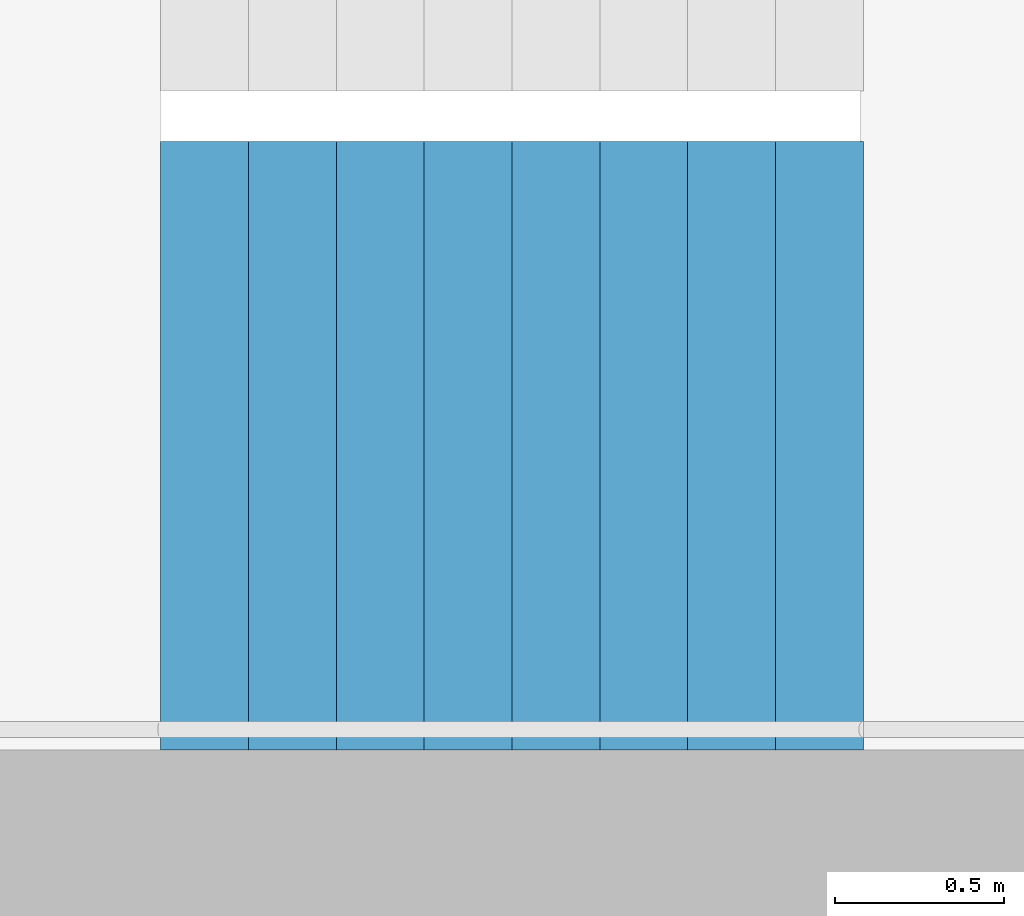
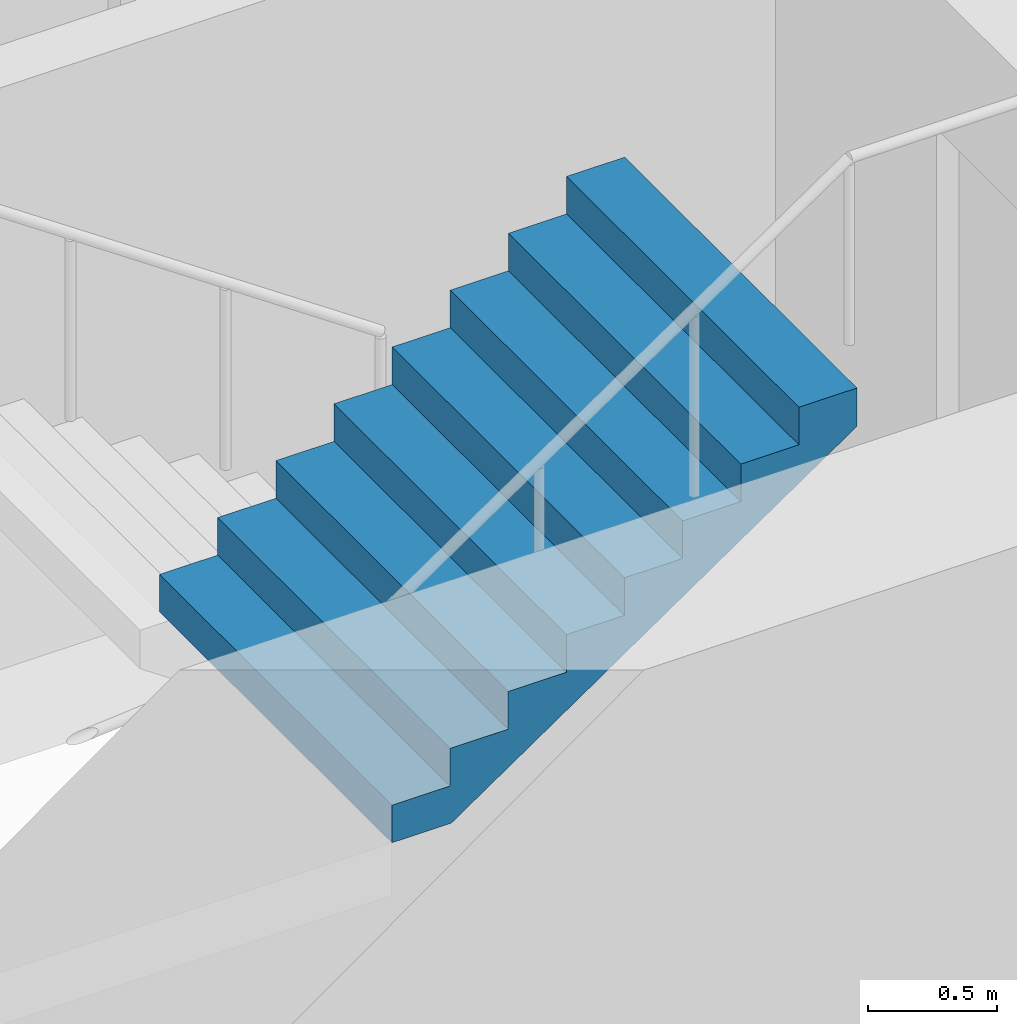
# One storey, part 16 of 28: 1 stair flight, 1 element without a shape of its own.
"""IFC4 building model written with IfcOpenShell, lengths in metres."""

from ifc_helpers import new_model, si_unit, direction, frame, origin, place, context, subcontext, project, spatial, triangles, material, type_object, element, aggregate, save


model = new_model("IFC4")

# Units and contexts
model_context = context("Model", 3, precision=1e-05, world=origin(), true_north=direction((0.0, 1.0)))
body_context = subcontext(model_context, "Body", "Model", "MODEL_VIEW")
ifc_project = project(units=[si_unit("LENGTHUNIT", "METRE"), si_unit("AREAUNIT", "SQUARE_METRE"), si_unit("VOLUMEUNIT", "CUBIC_METRE"), si_unit("PLANEANGLEUNIT", "RADIAN"), si_unit("MASSUNIT", "GRAM", prefix="KILO")], contexts=[model_context])

# Site, building, storey
site_placement = place(None, origin())
site = spatial("IfcSite", under=ifc_project, at=site_placement, CompositionType="ELEMENT")
building_placement = place(site_placement, origin())
building = spatial("IfcBuilding", under=site, at=building_placement, Name="Hakoniwa Tower and Hamabe Station Hall", CompositionType="ELEMENT")
storey_placement = place(building_placement, frame((0.0, 0.0, 218.60009765625)))
storey = spatial("IfcBuildingStorey", under=building, at=storey_placement, Name="L62", CompositionType="ELEMENT", Elevation=218.60009765625)

# Stair, stair flight
ifc_material_1 = material(Name="Concrete C40", Category="concrete")
stair_type = type_object("IfcStairType", Name="ESCAPE STAIR 1800", PredefinedType="HALF_TURN_STAIR", material=ifc_material_1)
stair_placement = place(storey_placement, origin())
stair = element("IfcStair", 1, at=stair_placement, inside=storey, type_object=stair_type, Name="Escape stair ST-2 L62", PredefinedType="HALF_TURN_STAIR")
ifc_material_2 = material(Name="Concrete C40", Category="concrete")
stair_flight_type = type_object("IfcStairFlightType", Name="STAIR FLIGHT 1800", PredefinedType="STRAIGHT", material=ifc_material_2)
stair_flight_placement = place(storey_placement, frame((-25.47998046875, -6.60009765625, 1.599853515625), z_axis=(0.0, 0.0, 1.0), x_axis=(1.0, 0.0, 0.0)))
stair_flight = element("IfcStairFlight", 2, at=stair_flight_placement, type_object=stair_flight_type, Name="ST-2 flight 2", NumberOfRisers=9, NumberOfTreads=8, PredefinedType="STRAIGHT", RiserHeight=0.177777778, TreadLength=0.26, context=body_context, shape_type="Tessellation", body=[
    triangles([(0.0, 0.89990234375, 0.0), (0.260009765625, 0.89990234375, 0.0), (0.265625, 0.89990234375, 0.0), (0.52001953125, 0.89990234375, 0.174072265625), (0.780029296875, 0.89990234375, 0.351806640625), (1.0400390625, 0.89990234375, 0.529541015625), (1.300048828125, 0.89990234375, 0.707275390625), (1.56005859375, 0.89990234375, 0.885009765625), (1.820068359375, 0.89990234375, 1.062744140625), (2.080078125, 0.89990234375, 1.24072265625), (2.080078125, 0.89990234375, 1.422119140625), (1.820068359375, 0.89990234375, 1.422119140625), (1.820068359375, 0.89990234375, 1.244384765625), (1.56005859375, 0.89990234375, 1.244384765625), (1.56005859375, 0.89990234375, 1.066650390625), (1.300048828125, 0.89990234375, 1.066650390625), (1.300048828125, 0.89990234375, 0.888916015625), (1.0400390625, 0.89990234375, 0.888916015625), (1.0400390625, 0.89990234375, 0.711181640625), (0.780029296875, 0.89990234375, 0.711181640625), (0.780029296875, 0.89990234375, 0.533447265625), (0.52001953125, 0.89990234375, 0.533447265625), (0.52001953125, 0.89990234375, 0.35546875), (0.265625, 0.89990234375, 0.35546875), (0.260009765625, 0.89990234375, 0.35546875), (0.260009765625, 0.89990234375, 0.177734375), (0.0, 0.89990234375, 0.177734375), (0.0, 0.06005859375, 0.0), (0.260009765625, 0.06005859375, 0.0), (0.265625, 0.06005859375, 0.0), (0.52001953125, 0.06005859375, 0.174072265625), (0.780029296875, 0.06005859375, 0.351806640625), (1.0400390625, 0.06005859375, 0.529541015625), (1.300048828125, 0.06005859375, 0.707275390625), (1.56005859375, 0.06005859375, 0.885009765625), (1.820068359375, 0.06005859375, 1.062744140625), (2.080078125, 0.06005859375, 1.24072265625), (2.080078125, 0.06005859375, 1.422119140625), (1.820068359375, 0.06005859375, 1.422119140625), (1.820068359375, 0.06005859375, 1.244384765625), (1.56005859375, 0.06005859375, 1.244384765625), (1.56005859375, 0.06005859375, 1.066650390625), (1.300048828125, 0.06005859375, 1.066650390625), (1.300048828125, 0.06005859375, 0.888916015625), (1.0400390625, 0.06005859375, 0.888916015625), (1.0400390625, 0.06005859375, 0.711181640625), (0.780029296875, 0.06005859375, 0.711181640625), (0.780029296875, 0.06005859375, 0.533447265625), (0.52001953125, 0.06005859375, 0.533447265625), (0.52001953125, 0.06005859375, 0.35546875), (0.265625, 0.06005859375, 0.35546875), (0.260009765625, 0.06005859375, 0.35546875), (0.260009765625, 0.06005859375, 0.177734375), (0.0, 0.06005859375, 0.177734375), (0.0, 0.04296875, 0.0), (0.260009765625, 0.04296875, 0.0), (0.265625, 0.04296875, 0.0), (0.52001953125, 0.04296875, 0.174072265625), (0.780029296875, 0.04296875, 0.351806640625), (1.0400390625, 0.04296875, 0.529541015625), (1.300048828125, 0.04296875, 0.707275390625), (1.56005859375, 0.04296875, 0.885009765625), (1.820068359375, 0.04296875, 1.062744140625), (2.080078125, 0.04296875, 1.24072265625), (2.080078125, 0.04296875, 1.422119140625), (1.820068359375, 0.04296875, 1.422119140625), (1.820068359375, 0.04296875, 1.244384765625), (1.56005859375, 0.04296875, 1.244384765625), (1.56005859375, 0.04296875, 1.066650390625), (1.300048828125, 0.04296875, 1.066650390625), (1.300048828125, 0.04296875, 0.888916015625), (1.0400390625, 0.04296875, 0.888916015625), (1.0400390625, 0.04296875, 0.711181640625), (0.780029296875, 0.04296875, 0.711181640625), (0.780029296875, 0.04296875, 0.533447265625), (0.52001953125, 0.04296875, 0.533447265625), (0.52001953125, 0.04296875, 0.35546875), (0.265625, 0.04296875, 0.35546875), (0.260009765625, 0.04296875, 0.35546875), (0.260009765625, 0.04296875, 0.177734375), (0.0, 0.04296875, 0.177734375), (0.0, 0.025634765625, 0.0), (0.260009765625, 0.025634765625, 0.0), (0.265625, 0.025634765625, 0.0), (0.52001953125, 0.025634765625, 0.174072265625), (0.780029296875, 0.025634765625, 0.351806640625), (1.0400390625, 0.025634765625, 0.529541015625), (1.300048828125, 0.025634765625, 0.707275390625), (1.56005859375, 0.025634765625, 0.885009765625), (1.820068359375, 0.025634765625, 1.062744140625), (2.080078125, 0.025634765625, 1.24072265625), (2.080078125, 0.025634765625, 1.422119140625), (1.820068359375, 0.025634765625, 1.422119140625), (1.820068359375, 0.025634765625, 1.244384765625), (1.56005859375, 0.025634765625, 1.244384765625), (1.56005859375, 0.025634765625, 1.066650390625), (1.300048828125, 0.025634765625, 1.066650390625), (1.300048828125, 0.025634765625, 0.888916015625), (1.0400390625, 0.025634765625, 0.888916015625), (1.0400390625, 0.025634765625, 0.711181640625), (0.780029296875, 0.025634765625, 0.711181640625), (0.780029296875, 0.025634765625, 0.533447265625), (0.52001953125, 0.025634765625, 0.533447265625), (0.52001953125, 0.025634765625, 0.35546875), (0.265625, 0.025634765625, 0.35546875), (0.260009765625, 0.025634765625, 0.35546875), (0.260009765625, 0.025634765625, 0.177734375), (0.0, 0.025634765625, 0.177734375), (0.0, 0.008544921875, 0.0), (0.260009765625, 0.008544921875, 0.0), (0.265625, 0.008544921875, 0.0), (0.52001953125, 0.008544921875, 0.174072265625), (0.780029296875, 0.008544921875, 0.351806640625), (1.0400390625, 0.008544921875, 0.529541015625), (1.300048828125, 0.008544921875, 0.707275390625), (1.56005859375, 0.008544921875, 0.885009765625), (1.820068359375, 0.008544921875, 1.062744140625), (2.080078125, 0.008544921875, 1.24072265625), (2.080078125, 0.008544921875, 1.422119140625), (1.820068359375, 0.008544921875, 1.422119140625), (1.820068359375, 0.008544921875, 1.244384765625), (1.56005859375, 0.008544921875, 1.244384765625), (1.56005859375, 0.008544921875, 1.066650390625), (1.300048828125, 0.008544921875, 1.066650390625), (1.300048828125, 0.008544921875, 0.888916015625), (1.0400390625, 0.008544921875, 0.888916015625), (1.0400390625, 0.008544921875, 0.711181640625), (0.780029296875, 0.008544921875, 0.711181640625), (0.780029296875, 0.008544921875, 0.533447265625), (0.52001953125, 0.008544921875, 0.533447265625), (0.52001953125, 0.008544921875, 0.35546875), (0.265625, 0.008544921875, 0.35546875), (0.260009765625, 0.008544921875, 0.35546875), (0.260009765625, 0.008544921875, 0.177734375), (0.0, 0.008544921875, 0.177734375), (0.0, -0.008544921875, 0.0), (0.260009765625, -0.008544921875, 0.0), (0.265625, -0.008544921875, 0.0), (0.52001953125, -0.008544921875, 0.174072265625), (0.780029296875, -0.008544921875, 0.351806640625), (1.0400390625, -0.008544921875, 0.529541015625), (1.300048828125, -0.008544921875, 0.707275390625), (1.56005859375, -0.008544921875, 0.885009765625), (1.820068359375, -0.008544921875, 1.062744140625), (2.080078125, -0.008544921875, 1.24072265625), (2.080078125, -0.008544921875, 1.422119140625), (1.820068359375, -0.008544921875, 1.422119140625), (1.820068359375, -0.008544921875, 1.244384765625), (1.56005859375, -0.008544921875, 1.244384765625), (1.56005859375, -0.008544921875, 1.066650390625), (1.300048828125, -0.008544921875, 1.066650390625), (1.300048828125, -0.008544921875, 0.888916015625), (1.0400390625, -0.008544921875, 0.888916015625), (1.0400390625, -0.008544921875, 0.711181640625), (0.780029296875, -0.008544921875, 0.711181640625), (0.780029296875, -0.008544921875, 0.533447265625), (0.52001953125, -0.008544921875, 0.533447265625), (0.52001953125, -0.008544921875, 0.35546875), (0.265625, -0.008544921875, 0.35546875), (0.260009765625, -0.008544921875, 0.35546875), (0.260009765625, -0.008544921875, 0.177734375), (0.0, -0.008544921875, 0.177734375), (0.0, -0.025634765625, 0.0), (0.260009765625, -0.025634765625, 0.0), (0.265625, -0.025634765625, 0.0), (0.52001953125, -0.025634765625, 0.174072265625), (0.780029296875, -0.025634765625, 0.351806640625), (1.0400390625, -0.025634765625, 0.529541015625), (1.300048828125, -0.025634765625, 0.707275390625), (1.56005859375, -0.025634765625, 0.885009765625), (1.820068359375, -0.025634765625, 1.062744140625), (2.080078125, -0.025634765625, 1.24072265625), (2.080078125, -0.025634765625, 1.422119140625), (1.820068359375, -0.025634765625, 1.422119140625), (1.820068359375, -0.025634765625, 1.244384765625), (1.56005859375, -0.025634765625, 1.244384765625), (1.56005859375, -0.025634765625, 1.066650390625), (1.300048828125, -0.025634765625, 1.066650390625), (1.300048828125, -0.025634765625, 0.888916015625), (1.0400390625, -0.025634765625, 0.888916015625), (1.0400390625, -0.025634765625, 0.711181640625), (0.780029296875, -0.025634765625, 0.711181640625), (0.780029296875, -0.025634765625, 0.533447265625), (0.52001953125, -0.025634765625, 0.533447265625), (0.52001953125, -0.025634765625, 0.35546875), (0.265625, -0.025634765625, 0.35546875), (0.260009765625, -0.025634765625, 0.35546875), (0.260009765625, -0.025634765625, 0.177734375), (0.0, -0.025634765625, 0.177734375), (0.0, -0.04296875, 0.0), (0.260009765625, -0.04296875, 0.0), (0.265625, -0.04296875, 0.0), (0.52001953125, -0.04296875, 0.174072265625), (0.780029296875, -0.04296875, 0.351806640625), (1.0400390625, -0.04296875, 0.529541015625), (1.300048828125, -0.04296875, 0.707275390625), (1.56005859375, -0.04296875, 0.885009765625), (1.820068359375, -0.04296875, 1.062744140625), (2.080078125, -0.04296875, 1.24072265625), (2.080078125, -0.04296875, 1.422119140625), (1.820068359375, -0.04296875, 1.422119140625), (1.820068359375, -0.04296875, 1.244384765625), (1.56005859375, -0.04296875, 1.244384765625), (1.56005859375, -0.04296875, 1.066650390625), (1.300048828125, -0.04296875, 1.066650390625), (1.300048828125, -0.04296875, 0.888916015625), (1.0400390625, -0.04296875, 0.888916015625), (1.0400390625, -0.04296875, 0.711181640625), (0.780029296875, -0.04296875, 0.711181640625), (0.780029296875, -0.04296875, 0.533447265625), (0.52001953125, -0.04296875, 0.533447265625), (0.52001953125, -0.04296875, 0.35546875), (0.265625, -0.04296875, 0.35546875), (0.260009765625, -0.04296875, 0.35546875), (0.260009765625, -0.04296875, 0.177734375), (0.0, -0.04296875, 0.177734375), (0.0, -0.06005859375, 0.0), (0.260009765625, -0.06005859375, 0.0), (0.265625, -0.06005859375, 0.0), (0.52001953125, -0.06005859375, 0.174072265625), (0.780029296875, -0.06005859375, 0.351806640625), (1.0400390625, -0.06005859375, 0.529541015625), (1.300048828125, -0.06005859375, 0.707275390625), (1.56005859375, -0.06005859375, 0.885009765625), (1.820068359375, -0.06005859375, 1.062744140625), (2.080078125, -0.06005859375, 1.24072265625), (2.080078125, -0.06005859375, 1.422119140625), (1.820068359375, -0.06005859375, 1.422119140625), (1.820068359375, -0.06005859375, 1.244384765625), (1.56005859375, -0.06005859375, 1.244384765625), (1.56005859375, -0.06005859375, 1.066650390625), (1.300048828125, -0.06005859375, 1.066650390625), (1.300048828125, -0.06005859375, 0.888916015625), (1.0400390625, -0.06005859375, 0.888916015625), (1.0400390625, -0.06005859375, 0.711181640625), (0.780029296875, -0.06005859375, 0.711181640625), (0.780029296875, -0.06005859375, 0.533447265625), (0.52001953125, -0.06005859375, 0.533447265625), (0.52001953125, -0.06005859375, 0.35546875), (0.265625, -0.06005859375, 0.35546875), (0.260009765625, -0.06005859375, 0.35546875), (0.260009765625, -0.06005859375, 0.177734375), (0.0, -0.06005859375, 0.177734375), (0.0, -0.89990234375, 0.0), (0.260009765625, -0.89990234375, 0.0), (0.265625, -0.89990234375, 0.0), (0.52001953125, -0.89990234375, 0.174072265625), (0.780029296875, -0.89990234375, 0.351806640625), (1.0400390625, -0.89990234375, 0.529541015625), (1.300048828125, -0.89990234375, 0.707275390625), (1.56005859375, -0.89990234375, 0.885009765625), (1.820068359375, -0.89990234375, 1.062744140625), (2.080078125, -0.89990234375, 1.24072265625), (2.080078125, -0.89990234375, 1.422119140625), (1.820068359375, -0.89990234375, 1.422119140625), (1.820068359375, -0.89990234375, 1.244384765625), (1.56005859375, -0.89990234375, 1.244384765625), (1.56005859375, -0.89990234375, 1.066650390625), (1.300048828125, -0.89990234375, 1.066650390625), (1.300048828125, -0.89990234375, 0.888916015625), (1.0400390625, -0.89990234375, 0.888916015625), (1.0400390625, -0.89990234375, 0.711181640625), (0.780029296875, -0.89990234375, 0.711181640625), (0.780029296875, -0.89990234375, 0.533447265625), (0.52001953125, -0.89990234375, 0.533447265625), (0.52001953125, -0.89990234375, 0.35546875), (0.265625, -0.89990234375, 0.35546875), (0.260009765625, -0.89990234375, 0.35546875), (0.260009765625, -0.89990234375, 0.177734375), (0.0, -0.89990234375, 0.177734375)], [[2, 27, 26], [245, 269, 270], [2, 1, 27], [245, 270, 244], [3, 25, 24], [246, 267, 268], [3, 26, 25], [246, 268, 269], [3, 2, 26], [246, 269, 245], [4, 24, 23], [247, 266, 267], [4, 3, 24], [247, 267, 246], [5, 22, 21], [248, 264, 265], [5, 23, 22], [248, 265, 266], [5, 4, 23], [248, 266, 247], [6, 20, 19], [249, 262, 263], [6, 21, 20], [249, 263, 264], [6, 5, 21], [249, 264, 248], [7, 18, 17], [250, 260, 261], [7, 19, 18], [250, 261, 262], [7, 6, 19], [250, 262, 249], [8, 16, 15], [251, 258, 259], [8, 17, 16], [251, 259, 260], [8, 7, 17], [251, 260, 250], [9, 14, 13], [252, 256, 257], [9, 15, 14], [252, 257, 258], [9, 8, 15], [252, 258, 251], [10, 12, 11], [253, 254, 255], [10, 13, 12], [253, 255, 256], [10, 9, 13], [253, 256, 252], [1, 2, 29], [1, 29, 28], [28, 29, 56], [28, 56, 55], [55, 56, 83], [55, 83, 82], [82, 83, 110], [82, 110, 109], [109, 110, 137], [109, 137, 136], [136, 137, 164], [136, 164, 163], [163, 164, 191], [163, 191, 190], [190, 191, 218], [190, 218, 217], [217, 218, 245], [217, 245, 244], [2, 3, 30], [2, 30, 29], [29, 30, 57], [29, 57, 56], [56, 57, 84], [56, 84, 83], [83, 84, 111], [83, 111, 110], [110, 111, 138], [110, 138, 137], [137, 138, 165], [137, 165, 164], [164, 165, 192], [164, 192, 191], [191, 192, 219], [191, 219, 218], [218, 219, 246], [218, 246, 245], [3, 4, 31], [3, 31, 30], [30, 31, 58], [30, 58, 57], [57, 58, 85], [57, 85, 84], [84, 85, 112], [84, 112, 111], [111, 112, 139], [111, 139, 138], [138, 139, 166], [138, 166, 165], [165, 166, 193], [165, 193, 192], [192, 193, 220], [192, 220, 219], [219, 220, 247], [219, 247, 246], [4, 5, 32], [4, 32, 31], [31, 32, 59], [31, 59, 58], [58, 59, 86], [58, 86, 85], [85, 86, 113], [85, 113, 112], [112, 113, 140], [112, 140, 139], [139, 140, 167], [139, 167, 166], [166, 167, 194], [166, 194, 193], [193, 194, 221], [193, 221, 220], [220, 221, 248], [220, 248, 247], [5, 6, 33], [5, 33, 32], [32, 33, 60], [32, 60, 59], [59, 60, 87], [59, 87, 86], [86, 87, 114], [86, 114, 113], [113, 114, 141], [113, 141, 140], [140, 141, 168], [140, 168, 167], [167, 168, 195], [167, 195, 194], [194, 195, 222], [194, 222, 221], [221, 222, 249], [221, 249, 248], [6, 7, 34], [6, 34, 33], [33, 34, 61], [33, 61, 60], [60, 61, 88], [60, 88, 87], [87, 88, 115], [87, 115, 114], [114, 115, 142], [114, 142, 141], [141, 142, 169], [141, 169, 168], [168, 169, 196], [168, 196, 195], [195, 196, 223], [195, 223, 222], [222, 223, 250], [222, 250, 249], [7, 8, 35], [7, 35, 34], [34, 35, 62], [34, 62, 61], [61, 62, 89], [61, 89, 88], [88, 89, 116], [88, 116, 115], [115, 116, 143], [115, 143, 142], [142, 143, 170], [142, 170, 169], [169, 170, 197], [169, 197, 196], [196, 197, 224], [196, 224, 223], [223, 224, 251], [223, 251, 250], [8, 9, 36], [8, 36, 35], [35, 36, 63], [35, 63, 62], [62, 63, 90], [62, 90, 89], [89, 90, 117], [89, 117, 116], [116, 117, 144], [116, 144, 143], [143, 144, 171], [143, 171, 170], [170, 171, 198], [170, 198, 197], [197, 198, 225], [197, 225, 224], [224, 225, 252], [224, 252, 251], [9, 10, 37], [9, 37, 36], [36, 37, 64], [36, 64, 63], [63, 64, 91], [63, 91, 90], [90, 91, 118], [90, 118, 117], [117, 118, 145], [117, 145, 144], [144, 145, 172], [144, 172, 171], [171, 172, 199], [171, 199, 198], [198, 199, 226], [198, 226, 225], [225, 226, 253], [225, 253, 252], [10, 11, 38], [10, 38, 37], [37, 38, 65], [37, 65, 64], [64, 65, 92], [64, 92, 91], [91, 92, 119], [91, 119, 118], [118, 119, 146], [118, 146, 145], [145, 146, 173], [145, 173, 172], [172, 173, 200], [172, 200, 199], [199, 200, 227], [199, 227, 226], [226, 227, 254], [226, 254, 253], [11, 12, 39], [11, 39, 38], [38, 39, 66], [38, 66, 65], [65, 66, 93], [65, 93, 92], [92, 93, 120], [92, 120, 119], [119, 120, 147], [119, 147, 146], [146, 147, 174], [146, 174, 173], [173, 174, 201], [173, 201, 200], [200, 201, 228], [200, 228, 227], [227, 228, 255], [227, 255, 254], [12, 13, 40], [12, 40, 39], [39, 40, 67], [39, 67, 66], [66, 67, 94], [66, 94, 93], [93, 94, 121], [93, 121, 120], [120, 121, 148], [120, 148, 147], [147, 148, 175], [147, 175, 174], [174, 175, 202], [174, 202, 201], [201, 202, 229], [201, 229, 228], [228, 229, 256], [228, 256, 255], [13, 14, 41], [13, 41, 40], [40, 41, 68], [40, 68, 67], [67, 68, 95], [67, 95, 94], [94, 95, 122], [94, 122, 121], [121, 122, 149], [121, 149, 148], [148, 149, 176], [148, 176, 175], [175, 176, 203], [175, 203, 202], [202, 203, 230], [202, 230, 229], [229, 230, 257], [229, 257, 256], [14, 15, 42], [14, 42, 41], [41, 42, 69], [41, 69, 68], [68, 69, 96], [68, 96, 95], [95, 96, 123], [95, 123, 122], [122, 123, 150], [122, 150, 149], [149, 150, 177], [149, 177, 176], [176, 177, 204], [176, 204, 203], [203, 204, 231], [203, 231, 230], [230, 231, 258], [230, 258, 257], [15, 16, 43], [15, 43, 42], [42, 43, 70], [42, 70, 69], [69, 70, 97], [69, 97, 96], [96, 97, 124], [96, 124, 123], [123, 124, 151], [123, 151, 150], [150, 151, 178], [150, 178, 177], [177, 178, 205], [177, 205, 204], [204, 205, 232], [204, 232, 231], [231, 232, 259], [231, 259, 258], [16, 17, 44], [16, 44, 43], [43, 44, 71], [43, 71, 70], [70, 71, 98], [70, 98, 97], [97, 98, 125], [97, 125, 124], [124, 125, 152], [124, 152, 151], [151, 152, 179], [151, 179, 178], [178, 179, 206], [178, 206, 205], [205, 206, 233], [205, 233, 232], [232, 233, 260], [232, 260, 259], [17, 18, 45], [17, 45, 44], [44, 45, 72], [44, 72, 71], [71, 72, 99], [71, 99, 98], [98, 99, 126], [98, 126, 125], [125, 126, 153], [125, 153, 152], [152, 153, 180], [152, 180, 179], [179, 180, 207], [179, 207, 206], [206, 207, 234], [206, 234, 233], [233, 234, 261], [233, 261, 260], [18, 19, 46], [18, 46, 45], [45, 46, 73], [45, 73, 72], [72, 73, 100], [72, 100, 99], [99, 100, 127], [99, 127, 126], [126, 127, 154], [126, 154, 153], [153, 154, 181], [153, 181, 180], [180, 181, 208], [180, 208, 207], [207, 208, 235], [207, 235, 234], [234, 235, 262], [234, 262, 261], [19, 20, 47], [19, 47, 46], [46, 47, 74], [46, 74, 73], [73, 74, 101], [73, 101, 100], [100, 101, 128], [100, 128, 127], [127, 128, 155], [127, 155, 154], [154, 155, 182], [154, 182, 181], [181, 182, 209], [181, 209, 208], [208, 209, 236], [208, 236, 235], [235, 236, 263], [235, 263, 262], [20, 21, 48], [20, 48, 47], [47, 48, 75], [47, 75, 74], [74, 75, 102], [74, 102, 101], [101, 102, 129], [101, 129, 128], [128, 129, 156], [128, 156, 155], [155, 156, 183], [155, 183, 182], [182, 183, 210], [182, 210, 209], [209, 210, 237], [209, 237, 236], [236, 237, 264], [236, 264, 263], [21, 22, 49], [21, 49, 48], [48, 49, 76], [48, 76, 75], [75, 76, 103], [75, 103, 102], [102, 103, 130], [102, 130, 129], [129, 130, 157], [129, 157, 156], [156, 157, 184], [156, 184, 183], [183, 184, 211], [183, 211, 210], [210, 211, 238], [210, 238, 237], [237, 238, 265], [237, 265, 264], [22, 23, 50], [22, 50, 49], [49, 50, 77], [49, 77, 76], [76, 77, 104], [76, 104, 103], [103, 104, 131], [103, 131, 130], [130, 131, 158], [130, 158, 157], [157, 158, 185], [157, 185, 184], [184, 185, 212], [184, 212, 211], [211, 212, 239], [211, 239, 238], [238, 239, 266], [238, 266, 265], [23, 24, 51], [23, 51, 50], [50, 51, 78], [50, 78, 77], [77, 78, 105], [77, 105, 104], [104, 105, 132], [104, 132, 131], [131, 132, 159], [131, 159, 158], [158, 159, 186], [158, 186, 185], [185, 186, 213], [185, 213, 212], [212, 213, 240], [212, 240, 239], [239, 240, 267], [239, 267, 266], [24, 25, 52], [24, 52, 51], [51, 52, 79], [51, 79, 78], [78, 79, 106], [78, 106, 105], [105, 106, 133], [105, 133, 132], [132, 133, 160], [132, 160, 159], [159, 160, 187], [159, 187, 186], [186, 187, 214], [186, 214, 213], [213, 214, 241], [213, 241, 240], [240, 241, 268], [240, 268, 267], [25, 26, 53], [25, 53, 52], [52, 53, 80], [52, 80, 79], [79, 80, 107], [79, 107, 106], [106, 107, 134], [106, 134, 133], [133, 134, 161], [133, 161, 160], [160, 161, 188], [160, 188, 187], [187, 188, 215], [187, 215, 214], [214, 215, 242], [214, 242, 241], [241, 242, 269], [241, 269, 268], [26, 27, 54], [26, 54, 53], [53, 54, 81], [53, 81, 80], [80, 81, 108], [80, 108, 107], [107, 108, 135], [107, 135, 134], [134, 135, 162], [134, 162, 161], [161, 162, 189], [161, 189, 188], [188, 189, 216], [188, 216, 215], [215, 216, 243], [215, 243, 242], [242, 243, 270], [242, 270, 269], [27, 1, 28], [27, 28, 54], [54, 28, 55], [54, 55, 81], [81, 55, 82], [81, 82, 108], [108, 82, 109], [108, 109, 135], [135, 109, 136], [135, 136, 162], [162, 136, 163], [162, 163, 189], [189, 163, 190], [189, 190, 216], [216, 190, 217], [216, 217, 243], [243, 217, 244], [243, 244, 270]], closed=True),
])
aggregate(stair, [stair_flight])

save(model, "model.ifc")
